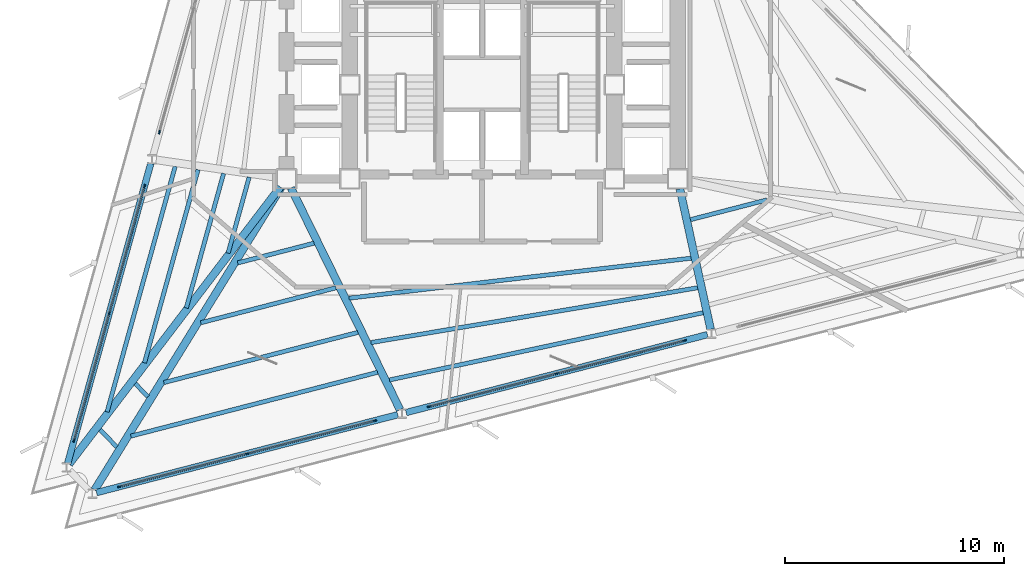
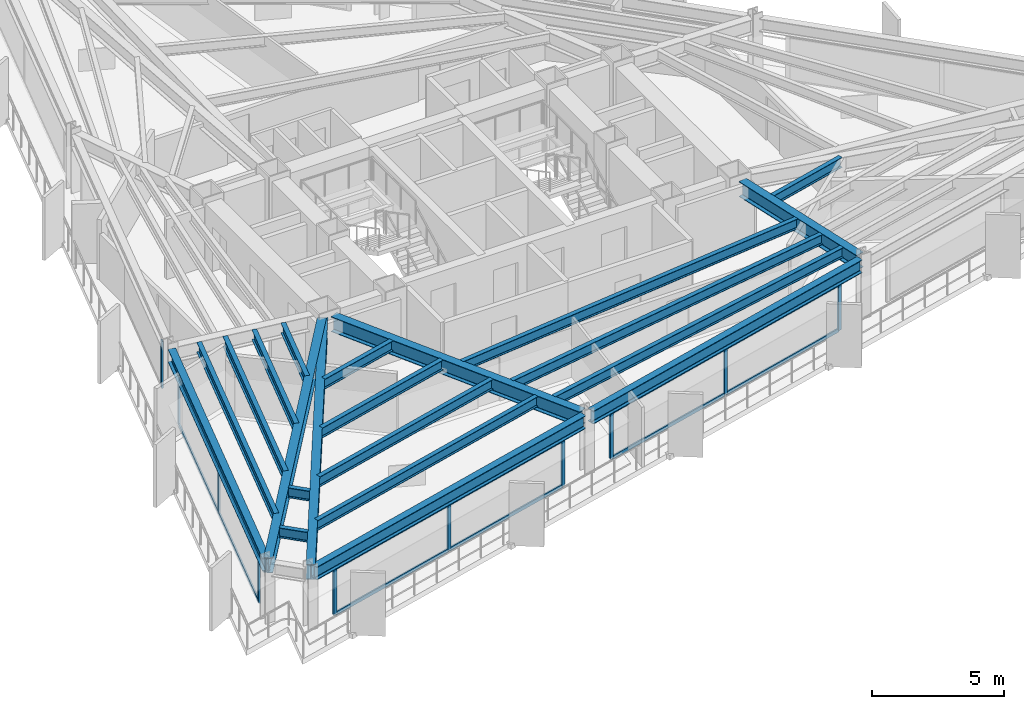
# One storey, part 2 of 11: 22 members, 21 beams, 4 elements without a shape of their own.
"""IFC4 building model written with IfcOpenShell, lengths in metres."""

from ifc_helpers import new_model, si_unit, direction, frame, origin, origin_2d, place, context, subcontext, project, spatial, rectangle, i_section, extrude, material, layer, layer_set, material_profile, profile_set, type_object, element, aggregate, save


model = new_model("IFC4")

# Units and contexts
model_context = context("Model", 3, precision=1e-05, world=origin(), true_north=direction((0.0, 1.0)))
body_context = subcontext(model_context, "Body", "Model", "MODEL_VIEW")
ifc_project = project(units=[si_unit("LENGTHUNIT", "METRE"), si_unit("AREAUNIT", "SQUARE_METRE"), si_unit("VOLUMEUNIT", "CUBIC_METRE"), si_unit("PLANEANGLEUNIT", "RADIAN"), si_unit("MASSUNIT", "GRAM", prefix="KILO")], contexts=[model_context])

# Site, building, storey
site_placement = place(None, origin())
site = spatial("IfcSite", under=ifc_project, at=site_placement, CompositionType="ELEMENT")
building_placement = place(site_placement, origin())
building = spatial("IfcBuilding", under=site, at=building_placement, Name="Rocaltana Carrier Exchange", CompositionType="ELEMENT")
storey_placement = place(building_placement, frame((0.0, 0.0, 88.639892578125)))
storey = spatial("IfcBuildingStorey", under=building, at=storey_placement, Name="L27", CompositionType="ELEMENT", Elevation=88.639892578125)

# Curtain wall, member
ifc_material_1 = material(Name="Aluminium 6063-T6", Category="aluminium")
ifc_layer = layer(ifc_material_1, 0.1650390625)
ifc_layer_set = layer_set([ifc_layer], Name="Aluminium 6063-T6")
curtain_wall_type = type_object("IfcCurtainWallType", Name="Lower-Mid Stepped Curtain Wall CW-02", PredefinedType="NOTDEFINED", material=ifc_layer_set)
curtain_wall_1_placement = place(storey_placement, origin())
curtain_wall_1 = element("IfcCurtainWall", 1, at=curtain_wall_1_placement, inside=storey, type_object=curtain_wall_type, Name="L27 CW-02 Run CW-L27-F2S2", PredefinedType="NOTDEFINED")
ifc_material_2 = material(Name="Aluminium 6063-T6", Category="aluminium")
ifc_material_profile_1 = material_profile(ifc_material_2, rectangle(XDim=0.06494140625, YDim=0.1650390625, at=origin_2d()), Name="AL-65X165")
ifc_profile_set_1 = profile_set([ifc_material_profile_1], Name="Aluminium 6063-T6")
member_type_1 = type_object("IfcMemberType", Name="CW-02 Mullion AL-65X165", PredefinedType="MULLION", material=ifc_profile_set_1)
member_1_placement = place(storey_placement, frame((-14.761962890625, -2.16796875, 0.0), z_axis=(0.0, 0.0, 1.0), x_axis=(0.963630586954, -0.267237893807, 0.0)))
member_1 = element("IfcMember", 2, at=member_1_placement, type_object=member_type_1, Name="CW-02 mullion 3", PredefinedType="MULLION", context=body_context, shape_type="SweptSolid", body=[
    extrude(rectangle(XDim=0.06494140625, YDim=0.1650390625, at=origin_2d()), origin(), (0.0, 0.0, 1.0), 2.168212890625),
])
aggregate(curtain_wall_1, [member_1])

# Curtain wall, members
curtain_wall_2_placement = place(storey_placement, origin())
curtain_wall_2 = element("IfcCurtainWall", 3, at=curtain_wall_2_placement, inside=storey, type_object=curtain_wall_type, Name="L27 CW-02 Run CW-L27-F2S3", PredefinedType="NOTDEFINED")
member_2_placement = place(storey_placement, frame((-15.447265625, -4.6396484375, 0.0), z_axis=(0.0, 0.0, 1.0), x_axis=(0.963629053146, -0.267243424491, 0.0)))
member_2 = element("IfcMember", 4, at=member_2_placement, type_object=member_type_1, Name="CW-02 mullion 1", PredefinedType="MULLION", context=body_context, shape_type="SweptSolid", body=[
    extrude(rectangle(XDim=0.06494140625, YDim=0.1650390625, at=origin_2d()), origin(), (0.0, 0.0, 1.0), 2.168212890625),
])
member_3_placement = place(storey_placement, frame((-17.059814453125, -10.45458984375, 0.0), z_axis=(0.0, 0.0, 1.0), x_axis=(0.963629053146, -0.267243424491, 0.0)))
member_3 = element("IfcMember", 5, at=member_3_placement, type_object=member_type_1, Name="CW-02 mullion 2", PredefinedType="MULLION", context=body_context, shape_type="SweptSolid", body=[
    extrude(rectangle(XDim=0.06494140625, YDim=0.1650390625, at=origin_2d()), origin(), (0.0, 0.0, 1.0), 2.168212890625),
])
member_4_placement = place(storey_placement, frame((-18.672607421875, -16.269287109375, 0.0), z_axis=(0.0, 0.0, 1.0), x_axis=(0.963629053146, -0.267243424491, 0.0)))
member_4 = element("IfcMember", 6, at=member_4_placement, type_object=member_type_1, Name="CW-02 mullion 3", PredefinedType="MULLION", context=body_context, shape_type="SweptSolid", body=[
    extrude(rectangle(XDim=0.06494140625, YDim=0.1650390625, at=origin_2d()), origin(), (0.0, 0.0, 1.0), 2.168212890625),
])

curtain_wall_3_placement = place(storey_placement, origin())
curtain_wall_3 = element("IfcCurtainWall", 7, at=curtain_wall_3_placement, inside=storey, type_object=curtain_wall_type, Name="L27 CW-02 Run CW-L27-F3S1", PredefinedType="NOTDEFINED")
member_5_placement = place(storey_placement, frame((-16.592529296875, -18.3857421875, 0.0), z_axis=(0.0, 0.0, 1.0), x_axis=(-0.250377760692, 0.968148220548, 0.0)))
member_5 = element("IfcMember", 8, at=member_5_placement, type_object=member_type_1, Name="CW-02 mullion 1", PredefinedType="MULLION", context=body_context, shape_type="SweptSolid", body=[
    extrude(rectangle(XDim=0.06494140625, YDim=0.1650390625, at=origin_2d()), origin(), (0.0, 0.0, 1.0), 2.168212890625),
])
member_6_placement = place(storey_placement, frame((-10.75048828125, -16.874755859375, 0.0), z_axis=(0.0, 0.0, 1.0), x_axis=(-0.250377760692, 0.968148220548, 0.0)))
member_6 = element("IfcMember", 9, at=member_6_placement, type_object=member_type_1, Name="CW-02 mullion 2", PredefinedType="MULLION", context=body_context, shape_type="SweptSolid", body=[
    extrude(rectangle(XDim=0.06494140625, YDim=0.1650390625, at=origin_2d()), origin(), (0.0, 0.0, 1.0), 2.168212890625),
])
member_7_placement = place(storey_placement, frame((-4.90869140625, -15.364013671875, 0.0), z_axis=(0.0, 0.0, 1.0), x_axis=(-0.250377760692, 0.968148220548, 0.0)))
member_7 = element("IfcMember", 10, at=member_7_placement, type_object=member_type_1, Name="CW-02 mullion 3", PredefinedType="MULLION", context=body_context, shape_type="SweptSolid", body=[
    extrude(rectangle(XDim=0.06494140625, YDim=0.1650390625, at=origin_2d()), origin(), (0.0, 0.0, 1.0), 2.168212890625),
])

curtain_wall_4_placement = place(storey_placement, origin())
curtain_wall_4 = element("IfcCurtainWall", 11, at=curtain_wall_4_placement, inside=storey, type_object=curtain_wall_type, Name="L27 CW-02 Run CW-L27-F3S2", PredefinedType="NOTDEFINED")
member_8_placement = place(storey_placement, frame((-2.42529296875, -14.7216796875, 0.0), z_axis=(0.0, 0.0, 1.0), x_axis=(-0.250377760692, 0.968148220548, 0.0)))
member_8 = element("IfcMember", 12, at=member_8_placement, type_object=member_type_1, Name="CW-02 mullion 1", PredefinedType="MULLION", context=body_context, shape_type="SweptSolid", body=[
    extrude(rectangle(XDim=0.06494140625, YDim=0.1650390625, at=origin_2d()), origin(), (0.0, 0.0, 1.0), 2.168212890625),
])
member_9_placement = place(storey_placement, frame((3.41650390625, -13.2109375, 0.0), z_axis=(0.0, 0.0, 1.0), x_axis=(-0.250377760692, 0.968148220548, 0.0)))
member_9 = element("IfcMember", 13, at=member_9_placement, type_object=member_type_1, Name="CW-02 mullion 2", PredefinedType="MULLION", context=body_context, shape_type="SweptSolid", body=[
    extrude(rectangle(XDim=0.06494140625, YDim=0.1650390625, at=origin_2d()), origin(), (0.0, 0.0, 1.0), 2.168212890625),
])
member_10_placement = place(storey_placement, frame((9.258544921875, -11.7001953125, 0.0), z_axis=(0.0, 0.0, 1.0), x_axis=(-0.250377760692, 0.968148220548, 0.0)))
member_10 = element("IfcMember", 14, at=member_10_placement, type_object=member_type_1, Name="CW-02 mullion 3", PredefinedType="MULLION", context=body_context, shape_type="SweptSolid", body=[
    extrude(rectangle(XDim=0.06494140625, YDim=0.1650390625, at=origin_2d()), origin(), (0.0, 0.0, 1.0), 2.168212890625),
])

# Member
ifc_material_3 = material(Name="Aluminium 6063-T6", Category="aluminium")
ifc_material_profile_2 = material_profile(ifc_material_3, rectangle(XDim=0.06494140625, YDim=0.1650390625, at=origin_2d()), Name="AL-65X165")
ifc_profile_set_2 = profile_set([ifc_material_profile_2], Name="Aluminium 6063-T6")
member_type_2 = type_object("IfcMemberType", Name="CW-02 Transom AL-65X165", PredefinedType="USERDEFINED", material=ifc_profile_set_2)
member_11_placement = place(storey_placement, frame((-15.4560546875, -4.671142578125, 0.03271484375), z_axis=(-0.26724725359, -0.963627991213, 0.0), x_axis=(0.963627991213, -0.26724725359, 0.0)))
member_11 = element("IfcMember", 15, at=member_11_placement, type_object=member_type_2, Name="CW-02 transom 1.1", ObjectType="TRANSOM", PredefinedType="USERDEFINED", context=body_context, shape_type="SweptSolid", body=[
    extrude(rectangle(XDim=0.06494140625, YDim=0.1650390625, at=origin_2d()), origin(), (0.0, 0.0, 1.0), 5.968994140625),
])

member_12_placement = place(storey_placement, frame((-15.4560546875, -4.671142578125, 2.135498046875), z_axis=(-0.26724725359, -0.963627991213, 0.0), x_axis=(0.963627991213, -0.26724725359, 0.0)))
member_12 = element("IfcMember", 16, at=member_12_placement, type_object=member_type_2, Name="CW-02 transom 1.2", ObjectType="TRANSOM", PredefinedType="USERDEFINED", context=body_context, shape_type="SweptSolid", body=[
    extrude(rectangle(XDim=0.06494140625, YDim=0.1650390625, at=origin_2d()), origin(), (0.0, 0.0, 1.0), 5.968994140625),
])

member_13_placement = place(storey_placement, frame((-17.068603515625, -10.48583984375, 0.03271484375), z_axis=(-0.267236720875, -0.963630912235, 0.0), x_axis=(0.963630912235, -0.267236720875, 0.0)))
member_13 = element("IfcMember", 17, at=member_13_placement, type_object=member_type_2, Name="CW-02 transom 2.1", ObjectType="TRANSOM", PredefinedType="USERDEFINED", context=body_context, shape_type="SweptSolid", body=[
    extrude(rectangle(XDim=0.06494140625, YDim=0.1650390625, at=origin_2d()), origin(), (0.0, 0.0, 1.0), 5.96923828125),
])

member_14_placement = place(storey_placement, frame((-17.068603515625, -10.48583984375, 2.135498046875), z_axis=(-0.267236720875, -0.963630912235, 0.0), x_axis=(0.963630912235, -0.267236720875, 0.0)))
member_14 = element("IfcMember", 18, at=member_14_placement, type_object=member_type_2, Name="CW-02 transom 2.2", ObjectType="TRANSOM", PredefinedType="USERDEFINED", context=body_context, shape_type="SweptSolid", body=[
    extrude(rectangle(XDim=0.06494140625, YDim=0.1650390625, at=origin_2d()), origin(), (0.0, 0.0, 1.0), 5.96923828125),
])

aggregate(curtain_wall_2, [member_2, member_3, member_4, member_11, member_12, member_13, member_14])

member_15_placement = place(storey_placement, frame((-16.56103515625, -18.37744140625, 0.03271484375), z_axis=(0.968154945337, 0.250351756175, 0.0), x_axis=(-0.250351756175, 0.968154945337, 0.0)))
member_15 = element("IfcMember", 19, at=member_15_placement, type_object=member_type_2, Name="CW-02 transom 1.1", ObjectType="TRANSOM", PredefinedType="USERDEFINED", context=body_context, shape_type="SweptSolid", body=[
    extrude(rectangle(XDim=0.06494140625, YDim=0.1650390625, at=origin_2d()), origin(), (0.0, 0.0, 1.0), 5.96923828125),
])

member_16_placement = place(storey_placement, frame((-16.56103515625, -18.37744140625, 2.135498046875), z_axis=(0.968154945337, 0.250351756175, 0.0), x_axis=(-0.250351756175, 0.968154945337, 0.0)))
member_16 = element("IfcMember", 20, at=member_16_placement, type_object=member_type_2, Name="CW-02 transom 1.2", ObjectType="TRANSOM", PredefinedType="USERDEFINED", context=body_context, shape_type="SweptSolid", body=[
    extrude(rectangle(XDim=0.06494140625, YDim=0.1650390625, at=origin_2d()), origin(), (0.0, 0.0, 1.0), 5.96923828125),
])

member_17_placement = place(storey_placement, frame((-10.71923828125, -16.86669921875, 0.03271484375), z_axis=(0.968145031253, 0.250390092575, 0.0), x_axis=(-0.250390092575, 0.968145031253, 0.0)))
member_17 = element("IfcMember", 21, at=member_17_placement, type_object=member_type_2, Name="CW-02 transom 2.1", ObjectType="TRANSOM", PredefinedType="USERDEFINED", context=body_context, shape_type="SweptSolid", body=[
    extrude(rectangle(XDim=0.06494140625, YDim=0.1650390625, at=origin_2d()), origin(), (0.0, 0.0, 1.0), 5.96923828125),
])

member_18_placement = place(storey_placement, frame((-10.71923828125, -16.86669921875, 2.135498046875), z_axis=(0.968145031253, 0.250390092575, 0.0), x_axis=(-0.250390092575, 0.968145031253, 0.0)))
member_18 = element("IfcMember", 22, at=member_18_placement, type_object=member_type_2, Name="CW-02 transom 2.2", ObjectType="TRANSOM", PredefinedType="USERDEFINED", context=body_context, shape_type="SweptSolid", body=[
    extrude(rectangle(XDim=0.06494140625, YDim=0.1650390625, at=origin_2d()), origin(), (0.0, 0.0, 1.0), 5.96923828125),
])

aggregate(curtain_wall_3, [member_5, member_6, member_7, member_15, member_16, member_17, member_18])

member_19_placement = place(storey_placement, frame((-2.393798828125, -14.713623046875, 0.03271484375), z_axis=(0.968145031253, 0.250390092575, 0.0), x_axis=(-0.250390092575, 0.968145031253, 0.0)))
member_19 = element("IfcMember", 23, at=member_19_placement, type_object=member_type_2, Name="CW-02 transom 1.1", ObjectType="TRANSOM", PredefinedType="USERDEFINED", context=body_context, shape_type="SweptSolid", body=[
    extrude(rectangle(XDim=0.06494140625, YDim=0.1650390625, at=origin_2d()), origin(), (0.0, 0.0, 1.0), 5.96923828125),
])

member_20_placement = place(storey_placement, frame((-2.393798828125, -14.713623046875, 2.135498046875), z_axis=(0.968145031253, 0.250390092575, 0.0), x_axis=(-0.250390092575, 0.968145031253, 0.0)))
member_20 = element("IfcMember", 24, at=member_20_placement, type_object=member_type_2, Name="CW-02 transom 1.2", ObjectType="TRANSOM", PredefinedType="USERDEFINED", context=body_context, shape_type="SweptSolid", body=[
    extrude(rectangle(XDim=0.06494140625, YDim=0.1650390625, at=origin_2d()), origin(), (0.0, 0.0, 1.0), 5.96923828125),
])

member_21_placement = place(storey_placement, frame((3.447998046875, -13.202880859375, 0.03271484375), z_axis=(0.968145031253, 0.250390092575, 0.0), x_axis=(-0.250390092575, 0.968145031253, 0.0)))
member_21 = element("IfcMember", 25, at=member_21_placement, type_object=member_type_2, Name="CW-02 transom 2.1", ObjectType="TRANSOM", PredefinedType="USERDEFINED", context=body_context, shape_type="SweptSolid", body=[
    extrude(rectangle(XDim=0.06494140625, YDim=0.1650390625, at=origin_2d()), origin(), (0.0, 0.0, 1.0), 5.96923828125),
])

member_22_placement = place(storey_placement, frame((3.447998046875, -13.202880859375, 2.135498046875), z_axis=(0.968145031253, 0.250390092575, 0.0), x_axis=(-0.250390092575, 0.968145031253, 0.0)))
member_22 = element("IfcMember", 26, at=member_22_placement, type_object=member_type_2, Name="CW-02 transom 2.2", ObjectType="TRANSOM", PredefinedType="USERDEFINED", context=body_context, shape_type="SweptSolid", body=[
    extrude(rectangle(XDim=0.06494140625, YDim=0.1650390625, at=origin_2d()), origin(), (0.0, 0.0, 1.0), 5.96923828125),
])

aggregate(curtain_wall_4, [member_8, member_9, member_10, member_19, member_20, member_21, member_22])

# Beams
ifc_material_4 = material(Name="Steel S355", Category="steel")
ifc_material_profile_3 = material_profile(ifc_material_4, i_section(OverallWidth=0.193115234375, OverallDepth=0.466064453125, WebThickness=0.011474609375, FlangeThickness=0.01904296875, FilletRadius=0.013916015625, at=origin_2d()), Name="W18X65")
ifc_profile_set_3 = profile_set([ifc_material_profile_3], Name="Steel S355")
beam_type_1 = type_object("IfcBeamType", Name="Floor Joist W18X65", PredefinedType="JOIST", material=ifc_profile_set_3)
beam_1_placement = place(storey_placement, frame((-10.65771484375, -4.223388671875, 2.55517578125), z_axis=(-0.267214572506, -0.963637054207, 0.0), x_axis=(0.963637054207, -0.267214572506, 0.0)))
element("IfcBeam", 27, at=beam_1_placement, inside=storey, type_object=beam_type_1, Name="FJ-L27-07-1", PredefinedType="JOIST", context=body_context, shape_type="SweptSolid", body=[
    extrude(i_section(OverallWidth=0.193115234375, OverallDepth=0.466064453125, WebThickness=0.011474609375, FlangeThickness=0.01904296875, FilletRadius=0.013916015625, at=origin_2d()), origin(), (0.0, 0.0, 1.0), 3.60791015625),
])
beam_2_placement = place(storey_placement, frame((-11.826904296875, -4.052978515625, 2.55517578125), z_axis=(-0.267247660275, -0.963627878425, 0.0), x_axis=(0.963627878425, -0.267247660275, 0.0)))
element("IfcBeam", 28, at=beam_2_placement, inside=storey, type_object=beam_type_1, Name="FJ-L27-07-2", PredefinedType="JOIST", context=body_context, shape_type="SweptSolid", body=[
    extrude(i_section(OverallWidth=0.193115234375, OverallDepth=0.466064453125, WebThickness=0.011474609375, FlangeThickness=0.01904296875, FilletRadius=0.013916015625, at=origin_2d()), origin(), (0.0, 0.0, 1.0), 6.388427734375),
])
beam_3_placement = place(storey_placement, frame((-12.996337890625, -3.8828125, 2.55517578125), z_axis=(-0.267235954776, -0.963631124692, 0.0), x_axis=(0.963631124692, -0.267235954776, 0.0)))
element("IfcBeam", 29, at=beam_3_placement, inside=storey, type_object=beam_type_1, Name="FJ-L27-07-3", PredefinedType="JOIST", context=body_context, shape_type="SweptSolid", body=[
    extrude(i_section(OverallWidth=0.193115234375, OverallDepth=0.466064453125, WebThickness=0.011474609375, FlangeThickness=0.01904296875, FilletRadius=0.013916015625, at=origin_2d()), origin(), (0.0, 0.0, 1.0), 9.168701171875),
])
beam_4_placement = place(storey_placement, frame((-14.04248046875, -3.73046875, 2.55517578125), z_axis=(-0.267254953873, -0.963625855626, 0.0), x_axis=(0.963625855626, -0.267254953873, 0.0)))
element("IfcBeam", 30, at=beam_4_placement, inside=storey, type_object=beam_type_1, Name="FJ-L27-07-4", PredefinedType="JOIST", context=body_context, shape_type="SweptSolid", body=[
    extrude(i_section(OverallWidth=0.193115234375, OverallDepth=0.466064453125, WebThickness=0.011474609375, FlangeThickness=0.01904296875, FilletRadius=0.013916015625, at=origin_2d()), origin(), (0.0, 0.0, 1.0), 11.656494140625),
])
beam_5_placement = place(storey_placement, frame((-15.87548828125, -13.666015625, 2.55517578125), z_axis=(0.700949450069, -0.713210956484, 0.0), x_axis=(0.713210956484, 0.700949450069, 0.0)))
element("IfcBeam", 31, at=beam_5_placement, inside=storey, type_object=beam_type_1, Name="FJ-L27-08-3", PredefinedType="JOIST", context=body_context, shape_type="SweptSolid", body=[
    extrude(i_section(OverallWidth=0.193115234375, OverallDepth=0.466064453125, WebThickness=0.011474609375, FlangeThickness=0.01904296875, FilletRadius=0.013916015625, at=origin_2d()), origin(), (0.0, 0.0, 1.0), 0.836181640625),
])
beam_6_placement = place(storey_placement, frame((-17.48583984375, -15.77880859375, 2.55517578125), z_axis=(0.70100898123, -0.713152443896, 0.0), x_axis=(0.713152443896, 0.70100898123, 0.0)))
element("IfcBeam", 32, at=beam_6_placement, inside=storey, type_object=beam_type_1, Name="FJ-L27-08-4", PredefinedType="JOIST", context=body_context, shape_type="SweptSolid", body=[
    extrude(i_section(OverallWidth=0.193115234375, OverallDepth=0.466064453125, WebThickness=0.011474609375, FlangeThickness=0.01904296875, FilletRadius=0.013916015625, at=origin_2d()), origin(), (0.0, 0.0, 1.0), 1.105712890625),
])
beam_7_placement = place(storey_placement, frame((-11.1826171875, -8.14697265625, 2.55517578125), z_axis=(0.968131920636, 0.250440779917, 0.0), x_axis=(-0.250440779917, 0.968131920636, 0.0)))
element("IfcBeam", 33, at=beam_7_placement, inside=storey, type_object=beam_type_1, Name="FJ-L27-09-1", PredefinedType="JOIST", context=body_context, shape_type="SweptSolid", body=[
    extrude(i_section(OverallWidth=0.193115234375, OverallDepth=0.466064453125, WebThickness=0.011474609375, FlangeThickness=0.01904296875, FilletRadius=0.013916015625, at=origin_2d()), origin(), (0.0, 0.0, 1.0), 3.60791015625),
])
beam_8_placement = place(storey_placement, frame((-12.87060546875, -10.88427734375, 2.55517578125), z_axis=(0.968143557315, 0.250395791558, 0.0), x_axis=(-0.250395791558, 0.968143557315, 0.0)))
element("IfcBeam", 34, at=beam_8_placement, inside=storey, type_object=beam_type_1, Name="FJ-L27-09-2", PredefinedType="JOIST", context=body_context, shape_type="SweptSolid", body=[
    extrude(i_section(OverallWidth=0.193115234375, OverallDepth=0.466064453125, WebThickness=0.011474609375, FlangeThickness=0.01904296875, FilletRadius=0.013916015625, at=origin_2d()), origin(), (0.0, 0.0, 1.0), 6.388427734375),
])
beam_9_placement = place(storey_placement, frame((-14.55859375, -13.62158203125, 2.55517578125), z_axis=(0.968140011266, 0.250409501786, 0.0), x_axis=(-0.250409501786, 0.968140011266, 0.0)))
element("IfcBeam", 35, at=beam_9_placement, inside=storey, type_object=beam_type_1, Name="FJ-L27-09-3", PredefinedType="JOIST", context=body_context, shape_type="SweptSolid", body=[
    extrude(i_section(OverallWidth=0.193115234375, OverallDepth=0.466064453125, WebThickness=0.011474609375, FlangeThickness=0.01904296875, FilletRadius=0.013916015625, at=origin_2d()), origin(), (0.0, 0.0, 1.0), 9.16845703125),
])
beam_10_placement = place(storey_placement, frame((-16.069091796875, -16.070556640625, 2.55517578125), z_axis=(0.968149362607, 0.250373344596, 0.0), x_axis=(-0.250373344596, 0.968149362607, 0.0)))
element("IfcBeam", 36, at=beam_10_placement, inside=storey, type_object=beam_type_1, Name="FJ-L27-09-4", PredefinedType="JOIST", context=body_context, shape_type="SweptSolid", body=[
    extrude(i_section(OverallWidth=0.193115234375, OverallDepth=0.466064453125, WebThickness=0.011474609375, FlangeThickness=0.01904296875, FilletRadius=0.013916015625, at=origin_2d()), origin(), (0.0, 0.0, 1.0), 11.656494140625),
])
beam_11_placement = place(storey_placement, frame((-6.085205078125, -9.759033203125, 2.55517578125), z_axis=(0.993245745527, 0.116029690132, 0.0), x_axis=(-0.116029690132, 0.993245745527, 0.0)))
element("IfcBeam", 37, at=beam_11_placement, inside=storey, type_object=beam_type_1, Name="FJ-L27-10-2", PredefinedType="JOIST", context=body_context, shape_type="SweptSolid", body=[
    extrude(i_section(OverallWidth=0.193115234375, OverallDepth=0.466064453125, WebThickness=0.011474609375, FlangeThickness=0.01904296875, FilletRadius=0.013916015625, at=origin_2d()), origin(), (0.0, 0.0, 1.0), 15.761962890625),
])
beam_12_placement = place(storey_placement, frame((-5.082763671875, -11.791748046875, 2.55517578125), z_axis=(0.986215738721, 0.165464548161, 0.0), x_axis=(-0.165464548161, 0.986215738721, 0.0)))
element("IfcBeam", 38, at=beam_12_placement, inside=storey, type_object=beam_type_1, Name="FJ-L27-10-3", PredefinedType="JOIST", context=body_context, shape_type="SweptSolid", body=[
    extrude(i_section(OverallWidth=0.193115234375, OverallDepth=0.466064453125, WebThickness=0.011474609375, FlangeThickness=0.01904296875, FilletRadius=0.013916015625, at=origin_2d()), origin(), (0.0, 0.0, 1.0), 15.15771484375),
])
beam_13_placement = place(storey_placement, frame((-4.239013671875, -13.5029296875, 2.55517578125), z_axis=(0.977758587701, 0.209733507519, 0.0), x_axis=(-0.209733507519, 0.977758587701, 0.0)))
element("IfcBeam", 39, at=beam_13_placement, inside=storey, type_object=beam_type_1, Name="FJ-L27-10-4", PredefinedType="JOIST", context=body_context, shape_type="SweptSolid", body=[
    extrude(i_section(OverallWidth=0.193115234375, OverallDepth=0.466064453125, WebThickness=0.011474609375, FlangeThickness=0.01904296875, FilletRadius=0.013916015625, at=origin_2d()), origin(), (0.0, 0.0, 1.0), 14.680908203125),
])
beam_14_placement = place(storey_placement, frame((9.53466796875, -6.16845703125, 2.55517578125), z_axis=(0.968131920636, 0.250440779917, 0.0), x_axis=(-0.250440779917, 0.968131920636, 0.0)))
element("IfcBeam", 40, at=beam_14_placement, inside=storey, type_object=beam_type_1, Name="FJ-L27-11-1", PredefinedType="JOIST", context=body_context, shape_type="SweptSolid", body=[
    extrude(i_section(OverallWidth=0.193115234375, OverallDepth=0.466064453125, WebThickness=0.011474609375, FlangeThickness=0.01904296875, FilletRadius=0.013916015625, at=origin_2d()), origin(), (0.0, 0.0, 1.0), 3.60791015625),
])
ifc_material_5 = material(Name="Steel S355", Category="steel")
ifc_material_profile_4 = material_profile(ifc_material_5, i_section(OverallWidth=0.35498046875, OverallDepth=0.695068359375, WebThickness=0.015380859375, FlangeThickness=0.02490234375, FilletRadius=0.01806640625, at=origin_2d()), Name="W27X146")
ifc_profile_set_4 = profile_set([ifc_material_profile_4], Name="Steel S355")
beam_type_2 = type_object("IfcBeamType", Name="Radial Girder W27X146", PredefinedType="BEAM", material=ifc_profile_set_4)
beam_15_placement = place(storey_placement, frame((-9.233154296875, -4.67138671875, 2.440673828125), z_axis=(-0.606201959284, -0.795310747168, 0.0), x_axis=(0.795310747168, -0.606201959284, 0.0)))
element("IfcBeam", 41, at=beam_15_placement, inside=storey, type_object=beam_type_2, Name="RG-L27-08", PredefinedType="BEAM", context=body_context, shape_type="SweptSolid", body=[
    extrude(i_section(OverallWidth=0.35498046875, OverallDepth=0.695068359375, WebThickness=0.015380859375, FlangeThickness=0.02490234375, FilletRadius=0.01806640625, at=origin_2d()), origin(), (0.0, 0.0, 1.0), 15.938720703125),
])
beam_16_placement = place(storey_placement, frame((-9.195068359375, -4.697509765625, 2.440673828125), z_axis=(-0.52488797783, -0.851171316909, 0.0), x_axis=(0.851171316909, -0.52488797783, 0.0)))
element("IfcBeam", 42, at=beam_16_placement, inside=storey, type_object=beam_type_2, Name="RG-L27-09", PredefinedType="BEAM", context=body_context, shape_type="SweptSolid", body=[
    extrude(i_section(OverallWidth=0.35498046875, OverallDepth=0.695068359375, WebThickness=0.015380859375, FlangeThickness=0.02490234375, FilletRadius=0.01806640625, at=origin_2d()), origin(), (0.0, 0.0, 1.0), 16.260986328125),
])
beam_17_placement = place(storey_placement, frame((-8.743896484375, -4.718994140625, 2.440673828125), z_axis=(0.441287446222, -0.897365806016, 0.0), x_axis=(0.897365806016, 0.441287446222, 0.0)))
element("IfcBeam", 43, at=beam_17_placement, inside=storey, type_object=beam_type_2, Name="RG-L27-10", PredefinedType="BEAM", context=body_context, shape_type="SweptSolid", body=[
    extrude(i_section(OverallWidth=0.35498046875, OverallDepth=0.695068359375, WebThickness=0.015380859375, FlangeThickness=0.02490234375, FilletRadius=0.01806640625, at=origin_2d()), origin(), (0.0, 0.0, 1.0), 11.306640625),
])
beam_18_placement = place(storey_placement, frame((9.0498046875, -4.756103515625, 2.440673828125), z_axis=(0.213917013251, -0.976851836996, 0.0), x_axis=(0.976851836996, 0.213917013251, 0.0)))
element("IfcBeam", 44, at=beam_18_placement, inside=storey, type_object=beam_type_2, Name="RG-L27-11", PredefinedType="BEAM", context=body_context, shape_type="SweptSolid", body=[
    extrude(i_section(OverallWidth=0.35498046875, OverallDepth=0.695068359375, WebThickness=0.015380859375, FlangeThickness=0.02490234375, FilletRadius=0.01806640625, at=origin_2d()), origin(), (0.0, 0.0, 1.0), 6.581787109375),
])
ifc_material_6 = material(Name="Steel S355", Category="steel")
ifc_material_profile_5 = material_profile(ifc_material_6, i_section(OverallWidth=0.300048828125, OverallDepth=0.60009765625, WebThickness=0.015380859375, FlangeThickness=0.030029296875, FilletRadius=0.027099609375, at=origin_2d()), Name="HEB600")
ifc_profile_set_5 = profile_set([ifc_material_profile_5], Name="Steel S355")
beam_type_3 = type_object("IfcBeamType", Name="Spandrel Edge Beam HEB600", PredefinedType="SPANDREL", material=ifc_profile_set_5)
for number, where, z_axis, x_axis, name in (
    (45, (-15.157470703125, -3.5947265625, 2.488037109375), (-0.26725027467, -0.963627153358, 0.0), (0.963627153358, -0.26725027467, 0.0), "SP-L27-07"),
    (46, (-17.642578125, -18.6572265625, 2.488037109375), (0.968148846625, 0.250375339797, 0.0), (-0.250375339797, 0.968148846625, 0.0), "SP-L27-09"),
    (47, (-3.475341796875, -14.993408203125, 2.488037109375), (0.968148846625, 0.250375339797, 0.0), (-0.250375339797, 0.968148846625, 0.0), "SP-L27-10"),
):
    element("IfcBeam", number, at=place(storey_placement, frame(where, z_axis=z_axis, x_axis=x_axis)), inside=storey, type_object=beam_type_3, Name=name, PredefinedType="SPANDREL", context=body_context, shape_type="SweptSolid", body=[
        extrude(i_section(OverallWidth=0.300048828125, OverallDepth=0.60009765625, WebThickness=0.015380859375, FlangeThickness=0.030029296875, FilletRadius=0.027099609375, at=origin_2d()), origin(), (0.0, 0.0, 1.0), 14.2373046875),
    ])

save(model, "model.ifc")
